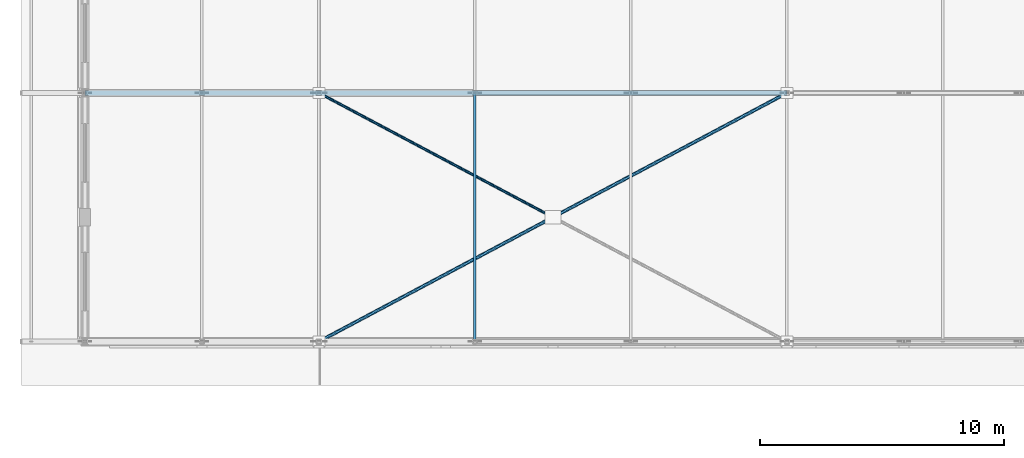
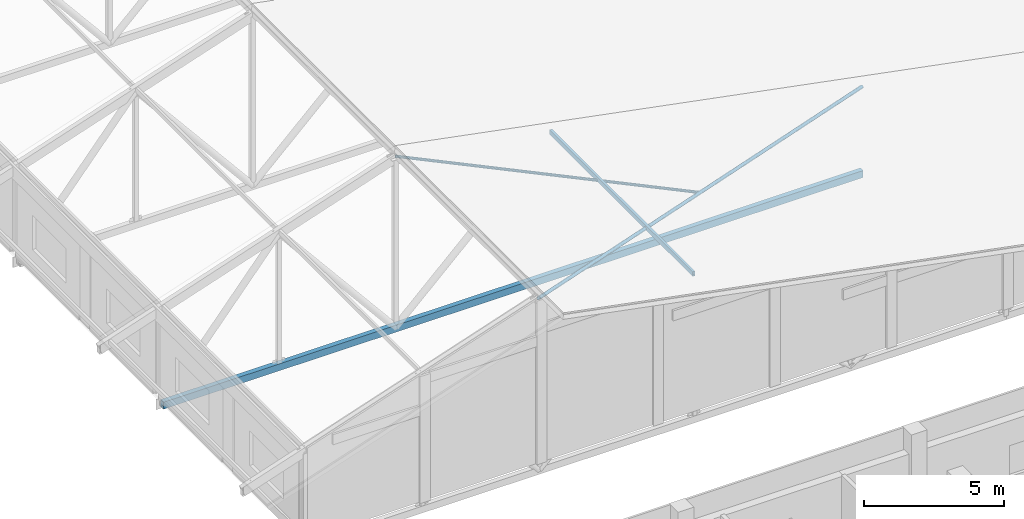
# One storey, part 23 of 200: 4 members.
"""IFC4 building model written with IfcOpenShell, lengths in metres."""

from ifc_helpers import new_model, si_unit, direction, frame, origin, origin_2d, place, context, subcontext, project, spatial, hollow_rectangle, hollow_circle, extrude, material, material_profile, profile_set, type_object, element, save


model = new_model("IFC4")

# Units and contexts
model_context = context("Model", 3, precision=1e-05, world=origin(), true_north=direction((0.0, 1.0)))
body_context = subcontext(model_context, "Body", "Model", "MODEL_VIEW")
ifc_project = project(units=[si_unit("LENGTHUNIT", "METRE"), si_unit("AREAUNIT", "SQUARE_METRE"), si_unit("VOLUMEUNIT", "CUBIC_METRE"), si_unit("PLANEANGLEUNIT", "RADIAN"), si_unit("MASSUNIT", "GRAM", prefix="KILO")], contexts=[model_context])

# Site, building, storey
site_placement = place(None, origin())
site = spatial("IfcSite", under=ifc_project, at=site_placement, CompositionType="ELEMENT")
building_placement = place(site_placement, origin())
building = spatial("IfcBuilding", under=site, at=building_placement, Name="Vondelvale Polytechnic", CompositionType="ELEMENT")
storey_placement = place(building_placement, frame((0.0, 0.0, 13.800048828125)))
storey = spatial("IfcBuildingStorey", under=building, at=storey_placement, Name="L03", CompositionType="ELEMENT", Elevation=13.800048828125)

# Members
ifc_material = material(Name="Steel C350L0 (fy = 350 MPa)", Category="steel")
ifc_material_profile_1 = material_profile(ifc_material, hollow_rectangle(XDim=0.10009765625, YDim=0.199951171875, WallThickness=0.006103515625, at=origin_2d()), Name="200x100x6.0RHS")
ifc_profile_set_1 = profile_set([ifc_material_profile_1], Name="Steel C350L0 (fy = 350 MPa)")
member_type_1 = type_object("IfcMemberType", Name="PURLIN RHS200", PredefinedType="PURLIN", material=ifc_profile_set_1)
member_1_placement = place(storey_placement, frame((16.0, 51.0, 5.847900390625), z_axis=(0.0, 1.0, 0.0), x_axis=(-1.0, 0.0, 0.0)))
element("IfcMember", 1, at=member_1_placement, inside=storey, type_object=member_type_1, Name="Workshop roof purlin bay 1", PredefinedType="PURLIN", context=body_context, shape_type="SweptSolid", body=[
    extrude(hollow_rectangle(XDim=0.10009765625, YDim=0.199951171875, WallThickness=0.006103515625, at=origin_2d()), origin(), (0.0, 0.0, 1.0), 10.199951171875),
])
ifc_material_profile_2 = material_profile(ifc_material, hollow_circle(Radius=0.05712890625, WallThickness=0.0048828125, at=origin_2d()), Name="114.3x4.8CHS")
ifc_profile_set_2 = profile_set([ifc_material_profile_2], Name="Steel C350L0 (fy = 350 MPa)")
member_type_2 = type_object("IfcMemberType", Name="ROOF BRACE 114CHS", PredefinedType="BRACE", material=ifc_profile_set_2)
member_2_placement = place(storey_placement, frame((19.199951171875, 56.10009765625, 5.169921875), z_axis=(-0.870599188587, 0.462499591831, 0.167783134994), x_axis=(-0.46915029964, -0.883118336548, 0.0)))
element("IfcMember", 2, at=member_2_placement, inside=storey, type_object=member_type_2, Name="Workshop split roof wind brace 1B2", PredefinedType="BRACE", context=body_context, shape_type="SweptSolid", body=[
    extrude(hollow_circle(Radius=0.05712890625, WallThickness=0.0048828125, at=origin_2d()), origin(), (0.0, 0.0, 1.0), 11.026611328125),
])
ifc_material_profile_3 = material_profile(ifc_material, hollow_circle(Radius=0.06982421875, WallThickness=0.0048828125, at=origin_2d()), Name="139.7x5.0CHS")
ifc_profile_set_3 = profile_set([ifc_material_profile_3], Name="Steel C350L0 (fy = 350 MPa)")
member_type_3 = type_object("IfcMemberType", Name="ROOF BRACE 139CHS", PredefinedType="BRACE", material=ifc_profile_set_3)
member_3_placement = place(storey_placement, frame((9.60009765625, 51.0, 7.02001953125), z_axis=(0.870599027727, 0.462504695642, -0.167769900248), x_axis=(-0.469154404922, 0.883116155634, 0.0)))
element("IfcMember", 3, at=member_3_placement, inside=storey, type_object=member_type_3, Name="Workshop continuous roof wind brace 1A", PredefinedType="BRACE", context=body_context, shape_type="SweptSolid", body=[
    extrude(hollow_circle(Radius=0.06982421875, WallThickness=0.0048828125, at=origin_2d()), origin(), (0.0, 0.0, 1.0), 22.0537109375),
])
ifc_material_profile_4 = material_profile(ifc_material, hollow_rectangle(XDim=0.199951171875, YDim=0.300048828125, WallThickness=0.008056640625, at=origin_2d()), Name="300x200x8.0RHS")
ifc_profile_set_4 = profile_set([ifc_material_profile_4], Name="Steel C350L0 (fy = 350 MPa)")
member_type_4 = type_object("IfcMemberType", Name="ROOF TRUSS BOT CHORD 300RHS", PredefinedType="CHORD", material=ifc_profile_set_4)
member_4_placement = place(storey_placement, frame((0.0, 61.199951171875, -0.420166015625), z_axis=(1.0, 0.0, 0.0), x_axis=(0.0, 1.0, 0.0)))
element("IfcMember", 4, at=member_4_placement, inside=storey, type_object=member_type_4, Name="ROOF TRUSS TR-02 bottom chord 1", PredefinedType="CHORD", context=body_context, shape_type="SweptSolid", body=[
    extrude(hollow_rectangle(XDim=0.199951171875, YDim=0.300048828125, WallThickness=0.008056640625, at=origin_2d()), origin(), (0.0, 0.0, 1.0), 28.800048828125),
])

save(model, "model.ifc")
